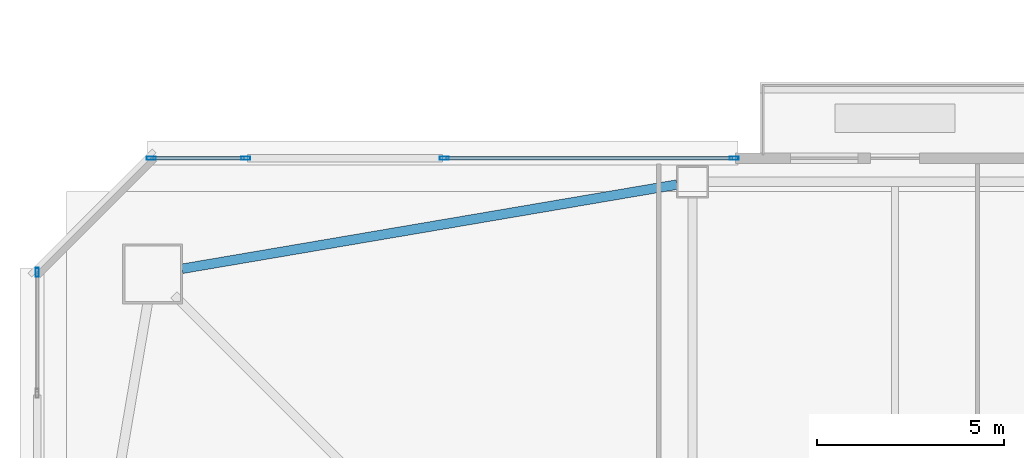
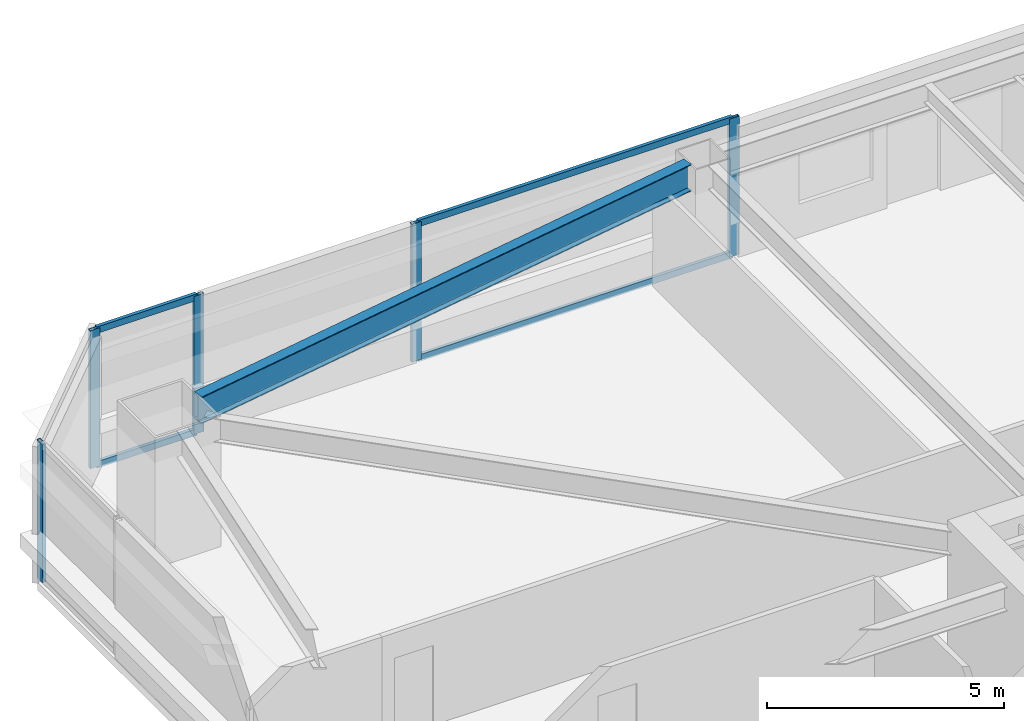
# One storey, part 15 of 48: 9 members, 1 beam, 3 elements without a shape of their own.
"""IFC4 building model written with IfcOpenShell, lengths in metres."""

import ifcopenshell
import ifcopenshell.guid

model = None  # the IFC model being written
_history = None  # IfcOwnerHistory: only IFC2X3 demands one
_inside = {}  # id of a spatial element -> (the spatial element, [elements in it])
_under = {}  # id of a project, library or spatial element -> (it, [spatial elements below it])
_declared = {}  # id of a project -> (the project, [libraries it declares])
_typed = {}  # id of a type object -> (the type object, [elements of that type])
_made_of = {}  # id of a material, layer set ... -> (it, [elements and type objects made of it])


def new_model(schema):
    """Start an empty IFC model of exactly this schema.

    Asked for "IFC4X3", IfcOpenShell would pick the latest addendum, in which some entities
    have other attributes; the version numbers below select the first issue.
    IFC2X3 requires an IfcOwnerHistory on every rooted entity: one is made here for all.
    """
    global model, _history
    if schema == "IFC4X3":
        model = ifcopenshell.file(schema_version=(4, 3, 0, 0))
    else:
        model = ifcopenshell.file(schema=schema)
    _inside.clear()
    _under.clear()
    _declared.clear()
    _typed.clear()
    _made_of.clear()
    _history = None
    if model.schema == "IFC2X3":
        org = make("IfcOrganization", Name="unknown")
        user = make(
            "IfcPersonAndOrganization",
            ThePerson=make("IfcPerson", FamilyName="unknown"),
            TheOrganization=org,
        )
        app = make(
            "IfcApplication",
            ApplicationDeveloper=org,
            Version="unknown",
            ApplicationFullName="unknown",
            ApplicationIdentifier="unknown",
        )
        _history = make(
            "IfcOwnerHistory",
            OwningUser=user,
            OwningApplication=app,
            ChangeAction="ADDED",
            CreationDate=0,
        )
    return model


def make(cls, **values):
    """One entity of the class cls with the attributes given. An attribute that is None is left unset."""
    return model.create_entity(
        cls, **{name: value for name, value in values.items() if value is not None}
    )


def rooted(cls, **values):
    """An entity with a GlobalId (a new one), such as an element, a storey or a relation."""
    return make(cls, GlobalId=ifcopenshell.guid.new(), OwnerHistory=_history, **values)


def si_unit(unit_type, name, prefix=None):
    """IfcSIUnit, for example si_unit("LENGTHUNIT", "METRE", prefix="MILLI")."""
    return make("IfcSIUnit", UnitType=unit_type, Prefix=prefix, Name=name)


def assignment(units):
    """IfcUnitAssignment: the units of a project."""
    return None if units is None else make("IfcUnitAssignment", Units=units)


def point(xyz):
    """IfcCartesianPoint."""
    return None if xyz is None else make("IfcCartesianPoint", Coordinates=xyz)


def direction(xyz):
    """IfcDirection."""
    return None if xyz is None else make("IfcDirection", DirectionRatios=xyz)


def frame(location, z_axis=None, x_axis=None):
    """IfcAxis2Placement3D, a coordinate frame: its origin and axes. An axis left out is left unset."""
    return make(
        "IfcAxis2Placement3D",
        Location=point(location),
        Axis=direction(z_axis),
        RefDirection=direction(x_axis),
    )


def frame_2d(location, x_axis=None):
    """IfcAxis2Placement2D, a coordinate frame in the plane: its origin and x axis."""
    return make(
        "IfcAxis2Placement2D", Location=point(location), RefDirection=direction(x_axis)
    )


def origin():
    """The frame at (0, 0, 0) with its axes left unset."""
    return frame((0.0, 0.0, 0.0))


def origin_2d():
    """The frame at (0, 0) in the plane with its x axis left unset."""
    return frame_2d((0.0, 0.0))


def place(relative_to, where):
    """IfcLocalPlacement: puts the frame where relative to a parent placement (None: the world)."""
    return make(
        "IfcLocalPlacement", PlacementRelTo=relative_to, RelativePlacement=where
    )


def context(
    kind, dimensions, precision=None, world=None, true_north=None, identifier=None
):
    """IfcGeometricRepresentationContext, for example the 3D "Model" context."""
    return make(
        "IfcGeometricRepresentationContext",
        ContextIdentifier=identifier,
        ContextType=kind,
        CoordinateSpaceDimension=dimensions,
        Precision=precision,
        WorldCoordinateSystem=world,
        TrueNorth=true_north,
    )


def subcontext(parent, identifier, kind, view, scale=None):
    """IfcGeometricRepresentationSubContext, for example "Body" below "Model"."""
    return make(
        "IfcGeometricRepresentationSubContext",
        ContextIdentifier=identifier,
        ContextType=kind,
        ParentContext=parent,
        TargetScale=scale,
        TargetView=view,
    )


def project(units=None, contexts=None):
    """IfcProject with its units and contexts."""
    return rooted(
        "IfcProject",
        Name="project",
        RepresentationContexts=contexts,
        UnitsInContext=assignment(units),
    )


def spatial(cls, under=None, at=None, **own):
    """A site, building, storey or space (cls), placed at a placement, below another one or the project."""
    s = rooted(cls, ObjectPlacement=at, **own)
    if under is not None:
        _under.setdefault(under.id(), (under, []))[1].append(s)
    return s


def profile(cls, at=None, kind="AREA", **sizes):
    """A parametric profile (cls). Its sizes go by their IFC names, for example OverallWidth=200.0."""
    return make(cls, ProfileType=kind, Position=at, **sizes)


def hollow_rectangle(**sizes):
    """IfcRectangleHollowProfileDef."""
    return profile("IfcRectangleHollowProfileDef", **sizes)


def i_section(**sizes):
    """IfcIShapeProfileDef."""
    return profile("IfcIShapeProfileDef", **sizes)


def extrude(swept, where, along, depth):
    """IfcExtrudedAreaSolid: the profile swept, set in the frame where, extruded along a direction by depth."""
    return make(
        "IfcExtrudedAreaSolid",
        SweptArea=swept,
        Position=where,
        ExtrudedDirection=direction(along),
        Depth=depth,
    )


def shape(context_of_items, identifier, shape_type, items):
    """IfcShapeRepresentation: the items that make up one representation, for example the "Body"."""
    return make(
        "IfcShapeRepresentation",
        ContextOfItems=context_of_items,
        RepresentationIdentifier=identifier,
        RepresentationType=shape_type,
        Items=items,
    )


def material(Name=None, Category=None):
    """IfcMaterial."""
    return make("IfcMaterial", Name=Name, Category=Category)


def material_profile(
    of_material, cross_section, Name=None, Category=None, Priority=None
):
    """IfcMaterialProfile: a cross section and its material."""
    return make(
        "IfcMaterialProfile",
        Name=Name,
        Material=of_material,
        Profile=cross_section,
        Priority=Priority,
        Category=Category,
    )


def profile_set(profiles, Name=None, composite=None):
    """IfcMaterialProfileSet."""
    return make(
        "IfcMaterialProfileSet",
        Name=Name,
        MaterialProfiles=profiles,
        CompositeProfile=composite,
    )


def made_of(thing, what):
    """Note that an element or type object is made of a material, layer set ...; save() writes the relation."""
    if what is not None:
        _made_of.setdefault(what.id(), (what, []))[1].append(thing)
    return thing


def type_object(cls, material=None, **own):
    """A type object (cls), such as IfcWallType, which elements share."""
    return made_of(rooted(cls, **own), material)


def element(
    cls,
    number,
    at=None,
    inside=None,
    cuts=None,
    type_object=None,
    material=None,
    context=None,
    identifier="Body",
    shape_type=None,
    held_by="IfcProductDefinitionShape",
    body=None,
    shapes=None,
    **own,
):
    """One element of the class cls, such as IfcWall. Its Tag is "e" and its number.

    at: its placement. inside: the storey or other place that contains it. cuts: it is an
    opening in that element (IfcRelVoidsElement). A single representation is given by context,
    identifier, shape_type and body (its items); several are given by shapes. held_by: the class
    of the entity that holds the representations. save() writes the other relations.
    """
    e = rooted(cls, Tag="e%d" % number, ObjectPlacement=at, **own)
    if body is not None:
        shapes = [shape(context, identifier, shape_type, body)]
    if shapes is not None:
        e.Representation = make(held_by, Representations=shapes)
    if inside is not None:
        _inside.setdefault(inside.id(), (inside, []))[1].append(e)
    if cuts is not None:
        rooted(
            "IfcRelVoidsElement", RelatingBuildingElement=cuts, RelatedOpeningElement=e
        )
    if type_object is not None:
        _typed.setdefault(type_object.id(), (type_object, []))[1].append(e)
    return made_of(e, material)


def aggregate(whole, parts):
    """IfcRelAggregates: a whole, such as a stair, and the parts it consists of."""
    return rooted("IfcRelAggregates", RelatingObject=whole, RelatedObjects=parts)


def save(model, path):
    """Write the relations noted so far, then the file.

    IfcRelAggregates (storeys below a building ...), IfcRelContainedInSpatialStructure (elements
    in a storey), IfcRelDefinesByType, IfcRelAssociatesMaterial and IfcRelDeclares: one each for
    every whole, place, type object, material and project.
    """
    for whole, parts in _under.values():
        aggregate(whole, parts)
    for where, things in _inside.values():
        rooted(
            "IfcRelContainedInSpatialStructure",
            RelatedElements=things,
            RelatingStructure=where,
        )
    for kind, things in _typed.values():
        rooted("IfcRelDefinesByType", RelatedObjects=things, RelatingType=kind)
    for what, things in _made_of.values():
        rooted("IfcRelAssociatesMaterial", RelatedObjects=things, RelatingMaterial=what)
    for by, libraries in _declared.values():
        rooted("IfcRelDeclares", RelatingContext=by, RelatedDefinitions=libraries)
    model.write(path)


model = new_model("IFC4")

# Units and contexts
model_context = context("Model", 3, precision=1e-05, world=origin(), true_north=direction((0.0, 1.0)))
body_context = subcontext(model_context, "Body", "Model", "MODEL_VIEW")
ifc_project = project(units=[si_unit("LENGTHUNIT", "METRE"), si_unit("AREAUNIT", "SQUARE_METRE"), si_unit("VOLUMEUNIT", "CUBIC_METRE"), si_unit("PLANEANGLEUNIT", "RADIAN"), si_unit("MASSUNIT", "GRAM", prefix="KILO")], contexts=[model_context])

# Site, building, storey
site_placement = place(None, origin())
site = spatial("IfcSite", under=ifc_project, at=site_placement, CompositionType="ELEMENT")
building_placement = place(site_placement, origin())
building = spatial("IfcBuilding", under=site, at=building_placement, Name="Tashvorn Skyway Center", CompositionType="ELEMENT")
storey_placement = place(building_placement, frame((0.0, 0.0, 53.0)))
storey = spatial("IfcBuildingStorey", under=building, at=storey_placement, Name="L13", CompositionType="ELEMENT", Elevation=53.0)

# Beam
ifc_material_1 = material(Name="Steel ASTM A992 Grade 50", Category="steel")
ifc_material_profile_1 = material_profile(ifc_material_1, i_section(OverallWidth=0.256103515625, OverallDepth=0.693115234375, WebThickness=0.014404296875, FlangeThickness=0.023681640625, at=origin_2d()), Name="W27X114")
ifc_profile_set_1 = profile_set([ifc_material_profile_1], Name="Steel ASTM A992 Grade 50")
beam_type = type_object("IfcBeamType", Name="BM-SPANDREL-W27X114", PredefinedType="SPANDREL", material=ifc_profile_set_1)
beam_placement = place(storey_placement, frame((36.18603515625, 54.179443359375, 3.00341796875), z_axis=(-0.985835025551, -0.16771792509, 0.0), x_axis=(0.16771792509, -0.985835025551, 0.0)))
element("IfcBeam", 1, at=beam_placement, inside=storey, type_object=beam_type, Name="Tower 1 L13 Spandrel Beam 09", PredefinedType="SPANDREL", context=body_context, shape_type="SweptSolid", body=[
    extrude(i_section(OverallWidth=0.256103515625, OverallDepth=0.693115234375, WebThickness=0.014404296875, FlangeThickness=0.023681640625, at=origin_2d()), origin(), (0.0, 0.0, 1.0), 13.39208984375),
])

# Curtain wall, member
ifc_material_2 = material(Name="Thermally broken bronze-anodized aluminium 6063-T6", Category="aluminium")
curtain_wall_type = type_object("IfcCurtainWallType", Name="CW-CW-Z1", PredefinedType="NOTDEFINED", material=ifc_material_2)
curtain_wall_1_placement = place(storey_placement, origin())
curtain_wall_1 = element("IfcCurtainWall", 2, at=curtain_wall_1_placement, inside=storey, type_object=curtain_wall_type, Name="Tower 1 L13 West Unitised Curtain Wall Glazing Group 3", PredefinedType="NOTDEFINED")
ifc_material_profile_2 = material_profile(ifc_material_2, hollow_rectangle(XDim=0.0849609375, YDim=0.239990234375, WallThickness=0.0048828125, at=origin_2d()), Name="ALU-MULL-85x240")
ifc_profile_set_2 = profile_set([ifc_material_profile_2], Name="Thermally broken bronze-anodized aluminium 6063-T6")
member_type_1 = type_object("IfcMemberType", Name="CWM-CW-Z1", PredefinedType="MULLION", material=ifc_profile_set_2)
member_1_placement = place(storey_placement, frame((19.1201171875, 51.83740234375, 0.0), z_axis=(0.0, 0.0, 1.0), x_axis=(-1.0, 0.0, 0.0)))
member_1 = element("IfcMember", 3, at=member_1_placement, type_object=member_type_1, Name="CW-Z1 mullion 2", PredefinedType="MULLION", context=body_context, shape_type="SweptSolid", body=[
    extrude(hollow_rectangle(XDim=0.0849609375, YDim=0.239990234375, WallThickness=0.0048828125, at=origin_2d()), origin(), (0.0, 0.0, 1.0), 3.550048828125),
])
aggregate(curtain_wall_1, [member_1])

# Curtain wall, members
curtain_wall_2_placement = place(storey_placement, origin())
curtain_wall_2 = element("IfcCurtainWall", 4, at=curtain_wall_2_placement, inside=storey, type_object=curtain_wall_type, Name="Tower 1 L13 North Curtain Wall L Glazing Group 1", PredefinedType="NOTDEFINED")
member_2_placement = place(storey_placement, frame((22.16259765625, 54.8798828125, 0.0), z_axis=(0.0, 0.0, 1.0), x_axis=(0.0, 1.0, 0.0)))
member_2 = element("IfcMember", 5, at=member_2_placement, type_object=member_type_1, Name="CW-Z1 mullion 1", PredefinedType="MULLION", context=body_context, shape_type="SweptSolid", body=[
    extrude(hollow_rectangle(XDim=0.0849609375, YDim=0.239990234375, WallThickness=0.0048828125, at=origin_2d()), origin(), (0.0, 0.0, 1.0), 3.550048828125),
])
member_3_placement = place(storey_placement, frame((24.6826171875, 54.8798828125, 0.0), z_axis=(0.0, 0.0, 1.0), x_axis=(0.0, 1.0, 0.0)))
member_3 = element("IfcMember", 6, at=member_3_placement, type_object=member_type_1, Name="CW-Z1 mullion 2", PredefinedType="MULLION", context=body_context, shape_type="SweptSolid", body=[
    extrude(hollow_rectangle(XDim=0.0849609375, YDim=0.239990234375, WallThickness=0.0048828125, at=origin_2d()), origin(), (0.0, 0.0, 1.0), 3.550048828125),
])

curtain_wall_3_placement = place(storey_placement, origin())
curtain_wall_3 = element("IfcCurtainWall", 7, at=curtain_wall_3_placement, inside=storey, type_object=curtain_wall_type, Name="Tower 1 L13 North Curtain Wall L Glazing Group 2", PredefinedType="NOTDEFINED")
member_4_placement = place(storey_placement, frame((29.9775390625, 54.8798828125, 0.0), z_axis=(0.0, 0.0, 1.0), x_axis=(0.0, 1.0, 0.0)))
member_4 = element("IfcMember", 8, at=member_4_placement, type_object=member_type_1, Name="CW-Z1 mullion 1", PredefinedType="MULLION", context=body_context, shape_type="SweptSolid", body=[
    extrude(hollow_rectangle(XDim=0.0849609375, YDim=0.239990234375, WallThickness=0.0048828125, at=origin_2d()), origin(), (0.0, 0.0, 1.0), 3.550048828125),
])
member_5_placement = place(storey_placement, frame((37.70751953125, 54.8798828125, 0.0), z_axis=(0.0, 0.0, 1.0), x_axis=(0.0, 1.0, 0.0)))
member_5 = element("IfcMember", 9, at=member_5_placement, type_object=member_type_1, Name="CW-Z1 mullion 2", PredefinedType="MULLION", context=body_context, shape_type="SweptSolid", body=[
    extrude(hollow_rectangle(XDim=0.0849609375, YDim=0.239990234375, WallThickness=0.0048828125, at=origin_2d()), origin(), (0.0, 0.0, 1.0), 3.550048828125),
])

# Member
ifc_material_profile_3 = material_profile(ifc_material_2, hollow_rectangle(XDim=0.0849609375, YDim=0.1650390625, WallThickness=0.0048828125, at=origin_2d()), Name="ALU-TRAN-85x165")
ifc_profile_set_3 = profile_set([ifc_material_profile_3], Name="Thermally broken bronze-anodized aluminium 6063-T6")
member_type_2 = type_object("IfcMemberType", Name="CWT-CW-Z1", PredefinedType="USERDEFINED", material=ifc_profile_set_3)
member_6_placement = place(storey_placement, frame((22.205078125, 54.8798828125, 0.04248046875), z_axis=(1.0, 0.0, 0.0), x_axis=(0.0, 1.0, 0.0)))
member_6 = element("IfcMember", 10, at=member_6_placement, type_object=member_type_2, Name="CW-Z1 transom 1.1", ObjectType="TRANSOM", PredefinedType="USERDEFINED", context=body_context, shape_type="SweptSolid", body=[
    extrude(hollow_rectangle(XDim=0.0849609375, YDim=0.1650390625, WallThickness=0.0048828125, at=origin_2d()), origin(), (0.0, 0.0, 1.0), 2.434814453125),
])

member_7_placement = place(storey_placement, frame((22.205078125, 54.8798828125, 3.507568359375), z_axis=(1.0, 0.0, 0.0), x_axis=(0.0, 1.0, 0.0)))
member_7 = element("IfcMember", 11, at=member_7_placement, type_object=member_type_2, Name="CW-Z1 transom 1.2", ObjectType="TRANSOM", PredefinedType="USERDEFINED", context=body_context, shape_type="SweptSolid", body=[
    extrude(hollow_rectangle(XDim=0.0849609375, YDim=0.1650390625, WallThickness=0.0048828125, at=origin_2d()), origin(), (0.0, 0.0, 1.0), 2.434814453125),
])

aggregate(curtain_wall_2, [member_2, member_3, member_6, member_7])

member_8_placement = place(storey_placement, frame((30.02001953125, 54.8798828125, 0.04248046875), z_axis=(1.0, 0.0, 0.0), x_axis=(0.0, 1.0, 0.0)))
member_8 = element("IfcMember", 12, at=member_8_placement, type_object=member_type_2, Name="CW-Z1 transom 1.1", ObjectType="TRANSOM", PredefinedType="USERDEFINED", context=body_context, shape_type="SweptSolid", body=[
    extrude(hollow_rectangle(XDim=0.0849609375, YDim=0.1650390625, WallThickness=0.0048828125, at=origin_2d()), origin(), (0.0, 0.0, 1.0), 7.64501953125),
])

member_9_placement = place(storey_placement, frame((30.02001953125, 54.8798828125, 3.507568359375), z_axis=(1.0, 0.0, 0.0), x_axis=(0.0, 1.0, 0.0)))
member_9 = element("IfcMember", 13, at=member_9_placement, type_object=member_type_2, Name="CW-Z1 transom 1.2", ObjectType="TRANSOM", PredefinedType="USERDEFINED", context=body_context, shape_type="SweptSolid", body=[
    extrude(hollow_rectangle(XDim=0.0849609375, YDim=0.1650390625, WallThickness=0.0048828125, at=origin_2d()), origin(), (0.0, 0.0, 1.0), 7.64501953125),
])

aggregate(curtain_wall_3, [member_4, member_5, member_8, member_9])

save(model, "model.ifc")
